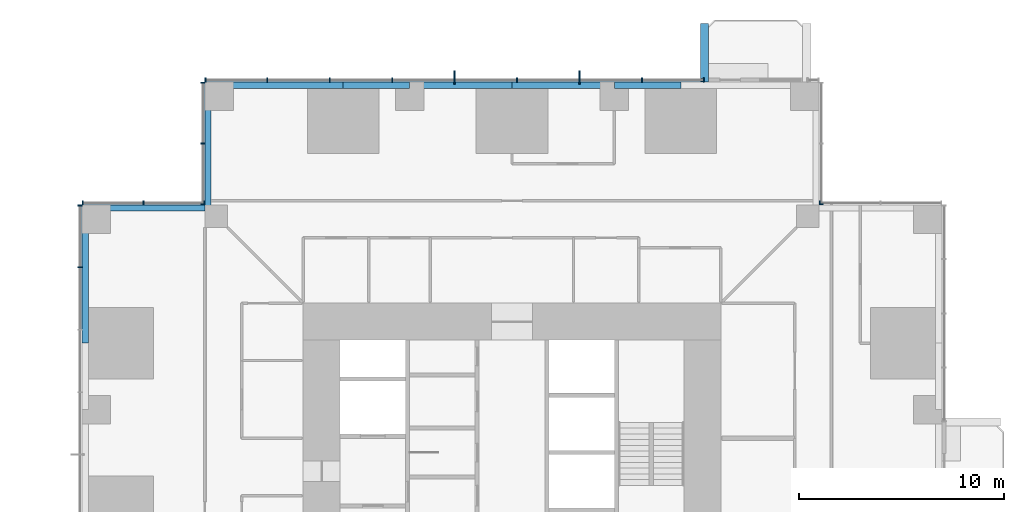
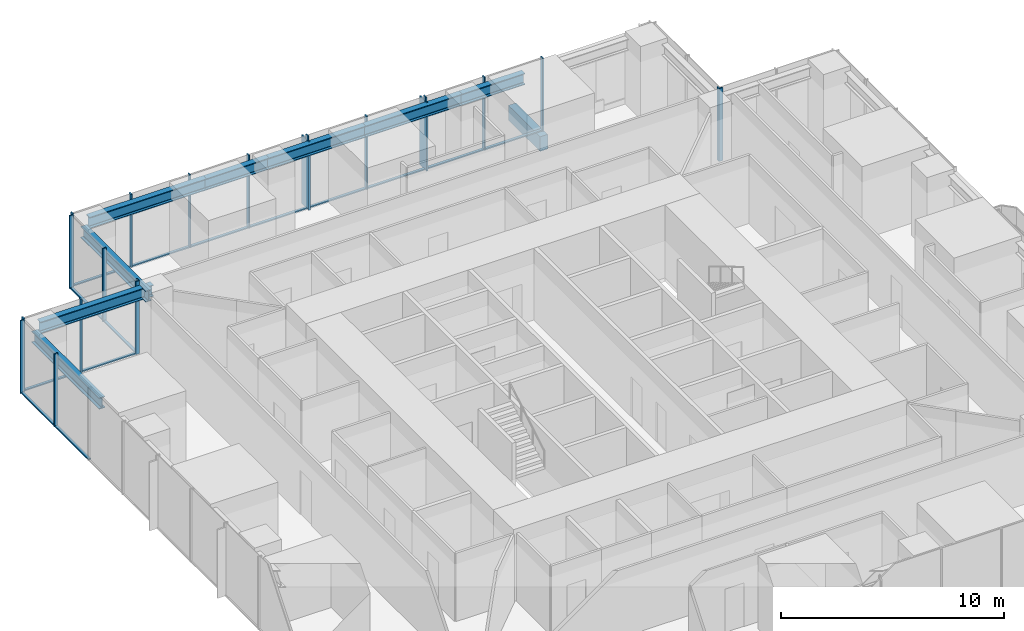
# One storey, part 5 of 17: 35 members, 9 beams, 6 elements without a shape of their own.
"""IFC4 building model written with IfcOpenShell, lengths in metres."""

from ifc_helpers import new_model, si_unit, direction, frame, origin, origin_2d, place, context, subcontext, project, spatial, rectangle, i_section, extrude, material, material_profile, profile_set, type_object, element, aggregate, save


model = new_model("IFC4")

# Units and contexts
model_context = context("Model", 3, precision=1e-05, world=origin(), true_north=direction((0.0, 1.0)))
body_context = subcontext(model_context, "Body", "Model", "MODEL_VIEW")
ifc_project = project(units=[si_unit("LENGTHUNIT", "METRE"), si_unit("AREAUNIT", "SQUARE_METRE"), si_unit("VOLUMEUNIT", "CUBIC_METRE"), si_unit("PLANEANGLEUNIT", "RADIAN"), si_unit("MASSUNIT", "GRAM", prefix="KILO")], contexts=[model_context])

# Site, building, storey
site_placement = place(None, origin())
site = spatial("IfcSite", under=ifc_project, at=site_placement, CompositionType="ELEMENT")
building_placement = place(site_placement, origin())
building = spatial("IfcBuilding", under=site, at=building_placement, Name="Svetlomir Tower", CompositionType="ELEMENT")
storey_placement = place(building_placement, frame((0.0, 0.0, 62.5)))
storey = spatial("IfcBuildingStorey", under=building, at=storey_placement, Name="L14", CompositionType="ELEMENT", Elevation=62.5)

# Beam
ifc_material_1 = material(Name="Concrete C60/75", Category="concrete")
ifc_material_profile_1 = material_profile(ifc_material_1, rectangle(XDim=0.39990234375, YDim=0.800048828125, at=origin_2d()), Name="RC 400x800")
ifc_profile_set_1 = profile_set([ifc_material_profile_1], Name="Concrete C60/75")
beam_type_1 = type_object("IfcBeamType", Name="BALCONY RIB RC 400x800", PredefinedType="BEAM", material=ifc_profile_set_1)
beam_1_placement = place(storey_placement, frame((30.39990234375, 42.0, -0.64990234375), z_axis=(0.0, 1.0, 0.0), x_axis=(-1.0, 0.0, 0.0)))
element("IfcBeam", 1, at=beam_1_placement, inside=storey, type_object=beam_type_1, Name="Balcony rib N 1 L14", PredefinedType="BEAM", context=body_context, shape_type="SweptSolid", body=[
    extrude(rectangle(XDim=0.39990234375, YDim=0.800048828125, at=origin_2d()), origin(), (0.0, 0.0, 1.0), 2.85009765625),
])

# Curtain wall, members
ifc_material_2 = material(Name="Bronze anodised aluminium curtain wall", Category="aluminium")
curtain_wall_type = type_object("IfcCurtainWallType", Name="CURTAIN WALL CW1 TOWER OFFICE", PredefinedType="NOTDEFINED", material=ifc_material_2)
curtain_wall_1_placement = place(storey_placement, origin())
curtain_wall_1 = element("IfcCurtainWall", 2, at=curtain_wall_1_placement, inside=storey, type_object=curtain_wall_type, Name="Curtain wall CW1 L14", PredefinedType="NOTDEFINED")
ifc_material_3 = material(Name="Bronze anodised aluminium", Category="aluminium")
ifc_material_profile_2 = material_profile(ifc_material_3, rectangle(XDim=0.080078125, YDim=0.64990234375, at=origin_2d()), Name="FIN 80x650")
ifc_profile_set_2 = profile_set([ifc_material_profile_2], Name="Bronze anodised aluminium 6063-T6")
member_type_1 = type_object("IfcMemberType", Name="BRONZE FIN 80x650", PredefinedType="USERDEFINED", material=ifc_profile_set_2)
member_1_placement = place(storey_placement, frame((24.300048828125, 42.22509765625, 0.0), z_axis=(0.0, 0.0, 1.0), x_axis=(1.0, 0.0, 0.0)))
member_1 = element("IfcMember", 3, at=member_1_placement, type_object=member_type_1, Name="Bronze fin L14", ObjectType="FIN", PredefinedType="USERDEFINED", context=body_context, shape_type="SweptSolid", body=[
    extrude(rectangle(XDim=0.080078125, YDim=0.64990234375, at=origin_2d()), origin(), (0.0, 0.0, 1.0), 3.75),
])
member_2_placement = place(storey_placement, frame((18.199951171875, 42.22509765625, 0.0), z_axis=(0.0, 0.0, 1.0), x_axis=(1.0, 0.0, 0.0)))
member_2 = element("IfcMember", 4, at=member_2_placement, type_object=member_type_1, Name="Bronze fin L14", ObjectType="FIN", PredefinedType="USERDEFINED", context=body_context, shape_type="SweptSolid", body=[
    extrude(rectangle(XDim=0.080078125, YDim=0.64990234375, at=origin_2d()), origin(), (0.0, 0.0, 1.0), 3.75),
])

# Curtain wall, member
curtain_wall_2_placement = place(storey_placement, origin())
curtain_wall_2 = element("IfcCurtainWall", 5, at=curtain_wall_2_placement, inside=storey, type_object=curtain_wall_type, Name="Curtain wall CW1 L14", PredefinedType="NOTDEFINED")
ifc_material_4 = material(Name="Bronze anodised aluminium", Category="aluminium")
ifc_material_profile_3 = material_profile(ifc_material_4, rectangle(XDim=0.06494140625, YDim=0.199951171875, at=origin_2d()), Name="AL 65x200")
ifc_profile_set_3 = profile_set([ifc_material_profile_3], Name="Bronze anodised aluminium 6063-T6")
member_type_2 = type_object("IfcMemberType", Name="CW1 MULLION 65x200", PredefinedType="MULLION", material=ifc_profile_set_3)
member_3_placement = place(storey_placement, frame((36.032470703125, 36.10009765625, 0.0), z_axis=(0.0, 0.0, 1.0), x_axis=(-1.0, 0.0, 0.0)))
member_3 = element("IfcMember", 6, at=member_3_placement, type_object=member_type_2, Name="CW1 mullion 3", PredefinedType="MULLION", context=body_context, shape_type="SweptSolid", body=[
    extrude(rectangle(XDim=0.06494140625, YDim=0.199951171875, at=origin_2d()), origin(), (0.0, 0.0, 1.0), 4.0),
])
aggregate(curtain_wall_2, [member_3])

curtain_wall_3_placement = place(storey_placement, origin())
curtain_wall_3 = element("IfcCurtainWall", 7, at=curtain_wall_3_placement, inside=storey, type_object=curtain_wall_type, Name="Curtain wall CW1 L14", PredefinedType="NOTDEFINED")
member_4_placement = place(storey_placement, frame((36.10009765625, 36.032470703125, 0.0), z_axis=(0.0, 0.0, 1.0), x_axis=(0.0, 1.0, 0.0)))
member_4 = element("IfcMember", 8, at=member_4_placement, type_object=member_type_2, Name="CW1 mullion 1", PredefinedType="MULLION", context=body_context, shape_type="SweptSolid", body=[
    extrude(rectangle(XDim=0.06494140625, YDim=0.199951171875, at=origin_2d()), origin(), (0.0, 0.0, 1.0), 4.0),
])
aggregate(curtain_wall_3, [member_4])

# Member
member_5_placement = place(storey_placement, frame((30.367431640625, 42.10009765625, 0.0), z_axis=(0.0, 0.0, 1.0), x_axis=(-1.0, 0.0, 0.0)))
member_5 = element("IfcMember", 9, at=member_5_placement, type_object=member_type_2, Name="CW1 mullion 1", PredefinedType="MULLION", context=body_context, shape_type="SweptSolid", body=[
    extrude(rectangle(XDim=0.06494140625, YDim=0.199951171875, at=origin_2d()), origin(), (0.0, 0.0, 1.0), 4.0),
])

member_6_placement = place(storey_placement, frame((27.35009765625, 42.10009765625, 0.0), z_axis=(0.0, 0.0, 1.0), x_axis=(-1.0, 0.0, 0.0)))
member_6 = element("IfcMember", 10, at=member_6_placement, type_object=member_type_2, Name="CW1 mullion 2", PredefinedType="MULLION", context=body_context, shape_type="SweptSolid", body=[
    extrude(rectangle(XDim=0.06494140625, YDim=0.199951171875, at=origin_2d()), origin(), (0.0, 0.0, 1.0), 4.0),
])

member_7_placement = place(storey_placement, frame((24.300048828125, 42.10009765625, 0.0), z_axis=(0.0, 0.0, 1.0), x_axis=(-1.0, 0.0, 0.0)))
member_7 = element("IfcMember", 11, at=member_7_placement, type_object=member_type_2, Name="CW1 mullion 3", PredefinedType="MULLION", context=body_context, shape_type="SweptSolid", body=[
    extrude(rectangle(XDim=0.06494140625, YDim=0.199951171875, at=origin_2d()), origin(), (0.0, 0.0, 1.0), 4.0),
])

member_8_placement = place(storey_placement, frame((21.25, 42.10009765625, 0.0), z_axis=(0.0, 0.0, 1.0), x_axis=(-1.0, 0.0, 0.0)))
member_8 = element("IfcMember", 12, at=member_8_placement, type_object=member_type_2, Name="CW1 mullion 4", PredefinedType="MULLION", context=body_context, shape_type="SweptSolid", body=[
    extrude(rectangle(XDim=0.06494140625, YDim=0.199951171875, at=origin_2d()), origin(), (0.0, 0.0, 1.0), 4.0),
])

member_9_placement = place(storey_placement, frame((18.199951171875, 42.10009765625, 0.0), z_axis=(0.0, 0.0, 1.0), x_axis=(-1.0, 0.0, 0.0)))
member_9 = element("IfcMember", 13, at=member_9_placement, type_object=member_type_2, Name="CW1 mullion 5", PredefinedType="MULLION", context=body_context, shape_type="SweptSolid", body=[
    extrude(rectangle(XDim=0.06494140625, YDim=0.199951171875, at=origin_2d()), origin(), (0.0, 0.0, 1.0), 4.0),
])

member_10_placement = place(storey_placement, frame((15.14990234375, 42.10009765625, 0.0), z_axis=(0.0, 0.0, 1.0), x_axis=(-1.0, 0.0, 0.0)))
member_10 = element("IfcMember", 14, at=member_10_placement, type_object=member_type_2, Name="CW1 mullion 6", PredefinedType="MULLION", context=body_context, shape_type="SweptSolid", body=[
    extrude(rectangle(XDim=0.06494140625, YDim=0.199951171875, at=origin_2d()), origin(), (0.0, 0.0, 1.0), 4.0),
])

member_11_placement = place(storey_placement, frame((12.10009765625, 42.10009765625, 0.0), z_axis=(0.0, 0.0, 1.0), x_axis=(-1.0, 0.0, 0.0)))
member_11 = element("IfcMember", 15, at=member_11_placement, type_object=member_type_2, Name="CW1 mullion 7", PredefinedType="MULLION", context=body_context, shape_type="SweptSolid", body=[
    extrude(rectangle(XDim=0.06494140625, YDim=0.199951171875, at=origin_2d()), origin(), (0.0, 0.0, 1.0), 4.0),
])

member_12_placement = place(storey_placement, frame((9.050048828125, 42.10009765625, 0.0), z_axis=(0.0, 0.0, 1.0), x_axis=(-1.0, 0.0, 0.0)))
member_12 = element("IfcMember", 16, at=member_12_placement, type_object=member_type_2, Name="CW1 mullion 8", PredefinedType="MULLION", context=body_context, shape_type="SweptSolid", body=[
    extrude(rectangle(XDim=0.06494140625, YDim=0.199951171875, at=origin_2d()), origin(), (0.0, 0.0, 1.0), 4.0),
])

member_13_placement = place(storey_placement, frame((6.032470703125, 42.10009765625, 0.0), z_axis=(0.0, 0.0, 1.0), x_axis=(-1.0, 0.0, 0.0)))
member_13 = element("IfcMember", 17, at=member_13_placement, type_object=member_type_2, Name="CW1 mullion 9", PredefinedType="MULLION", context=body_context, shape_type="SweptSolid", body=[
    extrude(rectangle(XDim=0.06494140625, YDim=0.199951171875, at=origin_2d()), origin(), (0.0, 0.0, 1.0), 4.0),
])

# Curtain wall, members
curtain_wall_4_placement = place(storey_placement, origin())
curtain_wall_4 = element("IfcCurtainWall", 18, at=curtain_wall_4_placement, inside=storey, type_object=curtain_wall_type, Name="Curtain wall CW1 L14", PredefinedType="NOTDEFINED")
member_14_placement = place(storey_placement, frame((5.89990234375, 41.967529296875, 0.0), z_axis=(0.0, 0.0, 1.0), x_axis=(0.0, -1.0, 0.0)))
member_14 = element("IfcMember", 19, at=member_14_placement, type_object=member_type_2, Name="CW1 mullion 1", PredefinedType="MULLION", context=body_context, shape_type="SweptSolid", body=[
    extrude(rectangle(XDim=0.06494140625, YDim=0.199951171875, at=origin_2d()), origin(), (0.0, 0.0, 1.0), 4.0),
])
member_15_placement = place(storey_placement, frame((5.89990234375, 39.0, 0.0), z_axis=(0.0, 0.0, 1.0), x_axis=(0.0, -1.0, 0.0)))
member_15 = element("IfcMember", 20, at=member_15_placement, type_object=member_type_2, Name="CW1 mullion 2", PredefinedType="MULLION", context=body_context, shape_type="SweptSolid", body=[
    extrude(rectangle(XDim=0.06494140625, YDim=0.199951171875, at=origin_2d()), origin(), (0.0, 0.0, 1.0), 4.0),
])
member_16_placement = place(storey_placement, frame((5.89990234375, 36.032470703125, 0.0), z_axis=(0.0, 0.0, 1.0), x_axis=(0.0, -1.0, 0.0)))
member_16 = element("IfcMember", 21, at=member_16_placement, type_object=member_type_2, Name="CW1 mullion 3", PredefinedType="MULLION", context=body_context, shape_type="SweptSolid", body=[
    extrude(rectangle(XDim=0.06494140625, YDim=0.199951171875, at=origin_2d()), origin(), (0.0, 0.0, 1.0), 4.0),
])

curtain_wall_5_placement = place(storey_placement, origin())
curtain_wall_5 = element("IfcCurtainWall", 22, at=curtain_wall_5_placement, inside=storey, type_object=curtain_wall_type, Name="Curtain wall CW1 L14", PredefinedType="NOTDEFINED")
member_17_placement = place(storey_placement, frame((5.967529296875, 36.10009765625, 0.0), z_axis=(0.0, 0.0, 1.0), x_axis=(-1.0, 0.0, 0.0)))
member_17 = element("IfcMember", 23, at=member_17_placement, type_object=member_type_2, Name="CW1 mullion 1", PredefinedType="MULLION", context=body_context, shape_type="SweptSolid", body=[
    extrude(rectangle(XDim=0.06494140625, YDim=0.199951171875, at=origin_2d()), origin(), (0.0, 0.0, 1.0), 4.0),
])
member_18_placement = place(storey_placement, frame((3.0, 36.10009765625, 0.0), z_axis=(0.0, 0.0, 1.0), x_axis=(-1.0, 0.0, 0.0)))
member_18 = element("IfcMember", 24, at=member_18_placement, type_object=member_type_2, Name="CW1 mullion 2", PredefinedType="MULLION", context=body_context, shape_type="SweptSolid", body=[
    extrude(rectangle(XDim=0.06494140625, YDim=0.199951171875, at=origin_2d()), origin(), (0.0, 0.0, 1.0), 4.0),
])
member_19_placement = place(storey_placement, frame((0.032470703125, 36.10009765625, 0.0), z_axis=(0.0, 0.0, 1.0), x_axis=(-1.0, 0.0, 0.0)))
member_19 = element("IfcMember", 25, at=member_19_placement, type_object=member_type_2, Name="CW1 mullion 3", PredefinedType="MULLION", context=body_context, shape_type="SweptSolid", body=[
    extrude(rectangle(XDim=0.06494140625, YDim=0.199951171875, at=origin_2d()), origin(), (0.0, 0.0, 1.0), 4.0),
])

curtain_wall_6_placement = place(storey_placement, origin())
curtain_wall_6 = element("IfcCurtainWall", 26, at=curtain_wall_6_placement, inside=storey, type_object=curtain_wall_type, Name="Curtain wall CW1 L14", PredefinedType="NOTDEFINED")
member_20_placement = place(storey_placement, frame((-0.10009765625, 35.967529296875, 0.0), z_axis=(0.0, 0.0, 1.0), x_axis=(0.0, -1.0, 0.0)))
member_20 = element("IfcMember", 27, at=member_20_placement, type_object=member_type_2, Name="CW1 mullion 1", PredefinedType="MULLION", context=body_context, shape_type="SweptSolid", body=[
    extrude(rectangle(XDim=0.06494140625, YDim=0.199951171875, at=origin_2d()), origin(), (0.0, 0.0, 1.0), 4.0),
])
member_21_placement = place(storey_placement, frame((-0.10009765625, 32.949951171875, 0.0), z_axis=(0.0, 0.0, 1.0), x_axis=(0.0, -1.0, 0.0)))
member_21 = element("IfcMember", 28, at=member_21_placement, type_object=member_type_2, Name="CW1 mullion 2", PredefinedType="MULLION", context=body_context, shape_type="SweptSolid", body=[
    extrude(rectangle(XDim=0.06494140625, YDim=0.199951171875, at=origin_2d()), origin(), (0.0, 0.0, 1.0), 4.0),
])

# Member
ifc_material_5 = material(Name="Bronze anodised aluminium", Category="aluminium")
ifc_material_profile_4 = material_profile(ifc_material_5, rectangle(XDim=0.139892578125, YDim=0.06494140625, at=origin_2d()), Name="AL 140x65")
ifc_profile_set_4 = profile_set([ifc_material_profile_4], Name="Bronze anodised aluminium 6063-T6")
member_type_3 = type_object("IfcMemberType", Name="CW1 TRANSOM 65x140", PredefinedType="USERDEFINED", material=ifc_profile_set_4)
member_22_placement = place(storey_placement, frame((30.3349609375, 42.10009765625, 0.032470703125), z_axis=(-1.0, 0.0, 0.0), x_axis=(0.0, -1.0, 0.0)))
member_22 = element("IfcMember", 29, at=member_22_placement, type_object=member_type_3, Name="CW1 transom 1.1", ObjectType="TRANSOM", PredefinedType="USERDEFINED", context=body_context, shape_type="SweptSolid", body=[
    extrude(rectangle(XDim=0.139892578125, YDim=0.06494140625, at=origin_2d()), origin(), (0.0, 0.0, 1.0), 2.952392578125),
])

member_23_placement = place(storey_placement, frame((27.3173828125, 42.10009765625, 0.032470703125), z_axis=(-1.0, 0.0, 0.0), x_axis=(0.0, -1.0, 0.0)))
member_23 = element("IfcMember", 30, at=member_23_placement, type_object=member_type_3, Name="CW1 transom 2.1", ObjectType="TRANSOM", PredefinedType="USERDEFINED", context=body_context, shape_type="SweptSolid", body=[
    extrude(rectangle(XDim=0.139892578125, YDim=0.06494140625, at=origin_2d()), origin(), (0.0, 0.0, 1.0), 2.98486328125),
])

member_24_placement = place(storey_placement, frame((24.267578125, 42.10009765625, 0.032470703125), z_axis=(-1.0, 0.0, 0.0), x_axis=(0.0, -1.0, 0.0)))
member_24 = element("IfcMember", 31, at=member_24_placement, type_object=member_type_3, Name="CW1 transom 3.1", ObjectType="TRANSOM", PredefinedType="USERDEFINED", context=body_context, shape_type="SweptSolid", body=[
    extrude(rectangle(XDim=0.139892578125, YDim=0.06494140625, at=origin_2d()), origin(), (0.0, 0.0, 1.0), 2.985107421875),
])

member_25_placement = place(storey_placement, frame((21.217529296875, 42.10009765625, 0.032470703125), z_axis=(-1.0, 0.0, 0.0), x_axis=(0.0, -1.0, 0.0)))
member_25 = element("IfcMember", 32, at=member_25_placement, type_object=member_type_3, Name="CW1 transom 4.1", ObjectType="TRANSOM", PredefinedType="USERDEFINED", context=body_context, shape_type="SweptSolid", body=[
    extrude(rectangle(XDim=0.139892578125, YDim=0.06494140625, at=origin_2d()), origin(), (0.0, 0.0, 1.0), 2.985107421875),
])

member_26_placement = place(storey_placement, frame((18.16748046875, 42.10009765625, 0.032470703125), z_axis=(-1.0, 0.0, 0.0), x_axis=(0.0, -1.0, 0.0)))
member_26 = element("IfcMember", 33, at=member_26_placement, type_object=member_type_3, Name="CW1 transom 5.1", ObjectType="TRANSOM", PredefinedType="USERDEFINED", context=body_context, shape_type="SweptSolid", body=[
    extrude(rectangle(XDim=0.139892578125, YDim=0.06494140625, at=origin_2d()), origin(), (0.0, 0.0, 1.0), 2.98486328125),
])

member_27_placement = place(storey_placement, frame((15.117431640625, 42.10009765625, 0.032470703125), z_axis=(-1.0, 0.0, 0.0), x_axis=(0.0, -1.0, 0.0)))
member_27 = element("IfcMember", 34, at=member_27_placement, type_object=member_type_3, Name="CW1 transom 6.1", ObjectType="TRANSOM", PredefinedType="USERDEFINED", context=body_context, shape_type="SweptSolid", body=[
    extrude(rectangle(XDim=0.139892578125, YDim=0.06494140625, at=origin_2d()), origin(), (0.0, 0.0, 1.0), 2.98486328125),
])

member_28_placement = place(storey_placement, frame((12.0673828125, 42.10009765625, 0.032470703125), z_axis=(-1.0, 0.0, 0.0), x_axis=(0.0, -1.0, 0.0)))
member_28 = element("IfcMember", 35, at=member_28_placement, type_object=member_type_3, Name="CW1 transom 7.1", ObjectType="TRANSOM", PredefinedType="USERDEFINED", context=body_context, shape_type="SweptSolid", body=[
    extrude(rectangle(XDim=0.139892578125, YDim=0.06494140625, at=origin_2d()), origin(), (0.0, 0.0, 1.0), 2.98486328125),
])

member_29_placement = place(storey_placement, frame((9.017578125, 42.10009765625, 0.032470703125), z_axis=(-1.0, 0.0, 0.0), x_axis=(0.0, -1.0, 0.0)))
member_29 = element("IfcMember", 36, at=member_29_placement, type_object=member_type_3, Name="CW1 transom 8.1", ObjectType="TRANSOM", PredefinedType="USERDEFINED", context=body_context, shape_type="SweptSolid", body=[
    extrude(rectangle(XDim=0.139892578125, YDim=0.06494140625, at=origin_2d()), origin(), (0.0, 0.0, 1.0), 2.95263671875),
])

aggregate(curtain_wall_1, [member_5, member_6, member_7, member_8, member_9, member_10, member_11, member_12, member_13, member_22, member_23, member_24, member_25, member_26, member_27, member_28, member_29, member_1, member_2])

member_30_placement = place(storey_placement, frame((5.89990234375, 41.93505859375, 0.032470703125), z_axis=(0.0, -1.0, 0.0), x_axis=(1.0, 0.0, 0.0)))
member_30 = element("IfcMember", 37, at=member_30_placement, type_object=member_type_3, Name="CW1 transom 1.1", ObjectType="TRANSOM", PredefinedType="USERDEFINED", context=body_context, shape_type="SweptSolid", body=[
    extrude(rectangle(XDim=0.139892578125, YDim=0.06494140625, at=origin_2d()), origin(), (0.0, 0.0, 1.0), 2.902587890625),
])

member_31_placement = place(storey_placement, frame((5.89990234375, 38.967529296875, 0.032470703125), z_axis=(0.0, -1.0, 0.0), x_axis=(1.0, 0.0, 0.0)))
member_31 = element("IfcMember", 38, at=member_31_placement, type_object=member_type_3, Name="CW1 transom 2.1", ObjectType="TRANSOM", PredefinedType="USERDEFINED", context=body_context, shape_type="SweptSolid", body=[
    extrude(rectangle(XDim=0.139892578125, YDim=0.06494140625, at=origin_2d()), origin(), (0.0, 0.0, 1.0), 2.902587890625),
])

aggregate(curtain_wall_4, [member_14, member_15, member_16, member_30, member_31])

member_32_placement = place(storey_placement, frame((5.93505859375, 36.10009765625, 0.032470703125), z_axis=(-1.0, 0.0, 0.0), x_axis=(0.0, -1.0, 0.0)))
member_32 = element("IfcMember", 39, at=member_32_placement, type_object=member_type_3, Name="CW1 transom 1.1", ObjectType="TRANSOM", PredefinedType="USERDEFINED", context=body_context, shape_type="SweptSolid", body=[
    extrude(rectangle(XDim=0.139892578125, YDim=0.06494140625, at=origin_2d()), origin(), (0.0, 0.0, 1.0), 2.902587890625),
])

member_33_placement = place(storey_placement, frame((2.967529296875, 36.10009765625, 0.032470703125), z_axis=(-1.0, 0.0, 0.0), x_axis=(0.0, -1.0, 0.0)))
member_33 = element("IfcMember", 40, at=member_33_placement, type_object=member_type_3, Name="CW1 transom 2.1", ObjectType="TRANSOM", PredefinedType="USERDEFINED", context=body_context, shape_type="SweptSolid", body=[
    extrude(rectangle(XDim=0.139892578125, YDim=0.06494140625, at=origin_2d()), origin(), (0.0, 0.0, 1.0), 2.902587890625),
])

aggregate(curtain_wall_5, [member_17, member_18, member_19, member_32, member_33])

member_34_placement = place(storey_placement, frame((-0.10009765625, 35.93505859375, 0.032470703125), z_axis=(0.0, -1.0, 0.0), x_axis=(1.0, 0.0, 0.0)))
member_34 = element("IfcMember", 41, at=member_34_placement, type_object=member_type_3, Name="CW1 transom 1.1", ObjectType="TRANSOM", PredefinedType="USERDEFINED", context=body_context, shape_type="SweptSolid", body=[
    extrude(rectangle(XDim=0.139892578125, YDim=0.06494140625, at=origin_2d()), origin(), (0.0, 0.0, 1.0), 2.95263671875),
])

member_35_placement = place(storey_placement, frame((-0.10009765625, 32.91748046875, 0.032470703125), z_axis=(0.0, -1.0, 0.0), x_axis=(1.0, 0.0, 0.0)))
member_35 = element("IfcMember", 42, at=member_35_placement, type_object=member_type_3, Name="CW1 transom 2.1", ObjectType="TRANSOM", PredefinedType="USERDEFINED", context=body_context, shape_type="SweptSolid", body=[
    extrude(rectangle(XDim=0.139892578125, YDim=0.06494140625, at=origin_2d()), origin(), (0.0, 0.0, 1.0), 2.98486328125),
])

aggregate(curtain_wall_6, [member_20, member_21, member_34, member_35])

# Beams
ifc_material_6 = material(Name="Steel S355", Category="steel")
ifc_material_profile_5 = material_profile(ifc_material_6, i_section(OverallWidth=0.304931640625, OverallDepth=0.6201171875, WebThickness=0.02099609375, FlangeThickness=0.0400390625, FilletRadius=0.027099609375, at=origin_2d()), Name="HEM 600")
ifc_profile_set_5 = profile_set([ifc_material_profile_5], Name="Steel S355")
beam_type_2 = type_object("IfcBeamType", Name="EDGE BEAM HEM 600", PredefinedType="SPANDREL", material=ifc_profile_set_5)
beam_2_placement = place(storey_placement, frame((6.699951171875, 41.847412109375, 3.43994140625), z_axis=(1.0, 0.0, 0.0), x_axis=(0.0, 1.0, 0.0)))
element("IfcBeam", 43, at=beam_2_placement, inside=storey, type_object=beam_type_2, Name="Edge beam 6/42 to 11/42 under L15", PredefinedType="SPANDREL", context=body_context, shape_type="SweptSolid", body=[
    extrude(i_section(OverallWidth=0.304931640625, OverallDepth=0.6201171875, WebThickness=0.02099609375, FlangeThickness=0.0400390625, FilletRadius=0.027099609375, at=origin_2d()), origin(), (0.0, 0.0, 1.0), 6.050048828125),
])
beam_3_placement = place(storey_placement, frame((12.75, 41.847412109375, 3.43994140625), z_axis=(1.0, 0.0, 0.0), x_axis=(0.0, 1.0, 0.0)))
element("IfcBeam", 44, at=beam_3_placement, inside=storey, type_object=beam_type_2, Name="Edge beam 11/42 to 16/42 under L15", PredefinedType="SPANDREL", context=body_context, shape_type="SweptSolid", body=[
    extrude(i_section(OverallWidth=0.304931640625, OverallDepth=0.6201171875, WebThickness=0.02099609375, FlangeThickness=0.0400390625, FilletRadius=0.027099609375, at=origin_2d()), origin(), (0.0, 0.0, 1.0), 3.25),
])
for number, where, z_axis, x_axis, name in (
    (45, (16.0, 41.847412109375, 3.43994140625), (1.0, 0.0, 0.0), (0.0, 1.0, 0.0), "Edge beam 16/42 to 21/42 under L15"),
    (46, (21.0, 41.847412109375, 3.43994140625), (1.0, 0.0, 0.0), (0.0, 1.0, 0.0), "Edge beam 21/42 to 26/42 under L15"),
):
    element("IfcBeam", number, at=place(storey_placement, frame(where, z_axis=z_axis, x_axis=x_axis)), inside=storey, type_object=beam_type_2, Name=name, PredefinedType="SPANDREL", context=body_context, shape_type="SweptSolid", body=[
        extrude(i_section(OverallWidth=0.304931640625, OverallDepth=0.6201171875, WebThickness=0.02099609375, FlangeThickness=0.0400390625, FilletRadius=0.027099609375, at=origin_2d()), origin(), (0.0, 0.0, 1.0), 5.0),
    ])
beam_4_placement = place(storey_placement, frame((26.0, 41.847412109375, 3.43994140625), z_axis=(1.0, 0.0, 0.0), x_axis=(0.0, 1.0, 0.0)))
element("IfcBeam", 47, at=beam_4_placement, inside=storey, type_object=beam_type_2, Name="Edge beam 26/42 to 31/42 under L15", PredefinedType="SPANDREL", context=body_context, shape_type="SweptSolid", body=[
    extrude(i_section(OverallWidth=0.304931640625, OverallDepth=0.6201171875, WebThickness=0.02099609375, FlangeThickness=0.0400390625, FilletRadius=0.027099609375, at=origin_2d()), origin(), (0.0, 0.0, 1.0), 3.25),
])
beam_5_placement = place(storey_placement, frame((0.152587890625, 29.25, 3.43994140625), z_axis=(0.0, 1.0, 0.0), x_axis=(-1.0, 0.0, 0.0)))
element("IfcBeam", 48, at=beam_5_placement, inside=storey, type_object=beam_type_2, Name="Edge beam 0/31 to 0/36 under L15", PredefinedType="SPANDREL", context=body_context, shape_type="SweptSolid", body=[
    extrude(i_section(OverallWidth=0.304931640625, OverallDepth=0.6201171875, WebThickness=0.02099609375, FlangeThickness=0.0400390625, FilletRadius=0.027099609375, at=origin_2d()), origin(), (0.0, 0.0, 1.0), 6.050048828125),
])
for number, where, z_axis, x_axis, name in (
    (49, (6.152587890625, 41.300048828125, 3.43994140625), (0.0, -1.0, 0.0), (1.0, 0.0, 0.0), "Edge beam 6/42 to 6/36 under L15"),
    (50, (0.699951171875, 35.847412109375, 3.43994140625), (1.0, 0.0, 0.0), (0.0, 1.0, 0.0), "Edge beam 0/36 to 6/36 under L15"),
):
    element("IfcBeam", number, at=place(storey_placement, frame(where, z_axis=z_axis, x_axis=x_axis)), inside=storey, type_object=beam_type_2, Name=name, PredefinedType="SPANDREL", context=body_context, shape_type="SweptSolid", body=[
        extrude(i_section(OverallWidth=0.304931640625, OverallDepth=0.6201171875, WebThickness=0.02099609375, FlangeThickness=0.0400390625, FilletRadius=0.027099609375, at=origin_2d()), origin(), (0.0, 0.0, 1.0), 5.85009765625),
    ])

save(model, "model.ifc")
